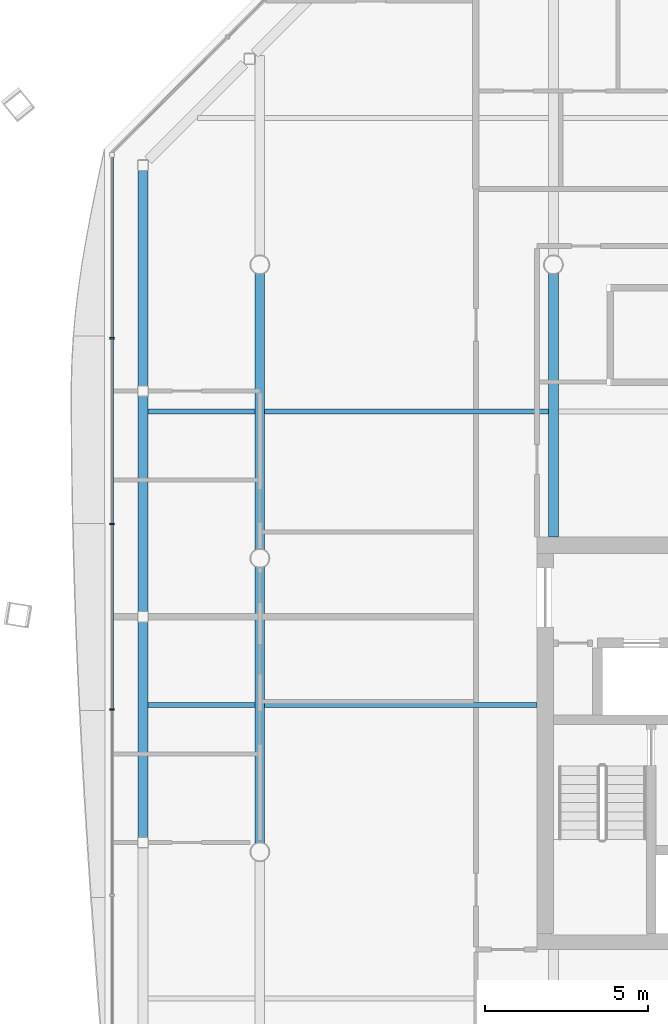
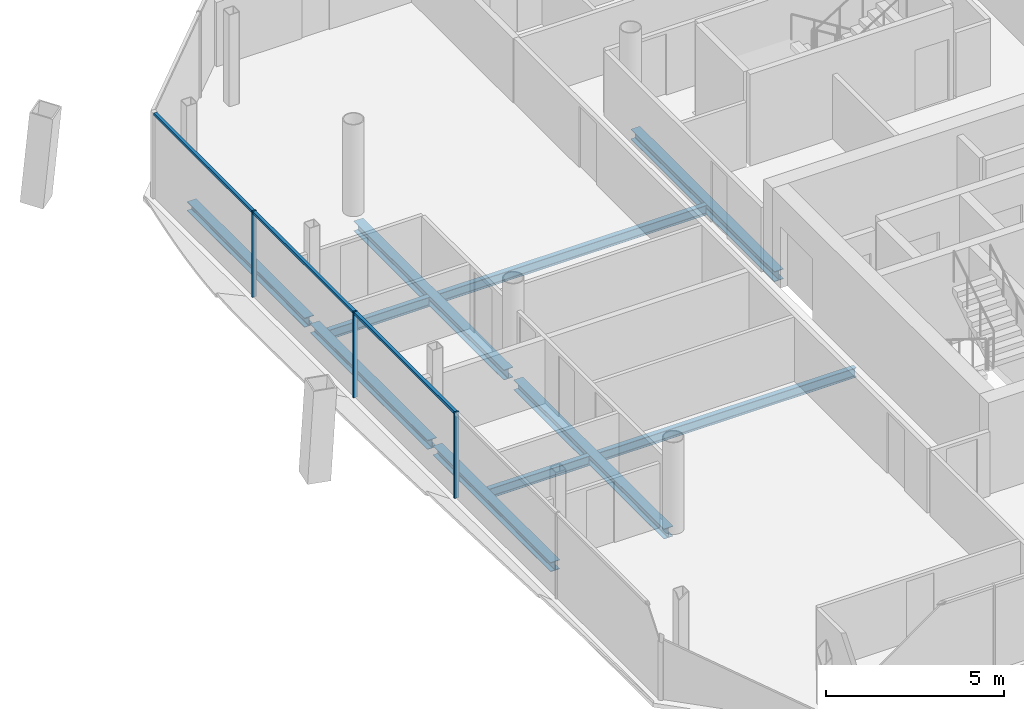
# One storey, part 6 of 19: 10 beams, 6 members, 1 element without a shape of its own.
"""IFC4 building model written with IfcOpenShell, lengths in metres."""

from ifc_helpers import new_model, si_unit, direction, frame, origin, origin_2d, place, context, subcontext, project, spatial, rectangle, i_section, extrude, material, material_profile, profile_set, type_object, element, aggregate, save


model = new_model("IFC4")

# Units and contexts
model_context = context("Model", 3, precision=1e-05, world=origin(), true_north=direction((0.0, 1.0)))
body_context = subcontext(model_context, "Body", "Model", "MODEL_VIEW")
ifc_project = project(units=[si_unit("LENGTHUNIT", "METRE"), si_unit("AREAUNIT", "SQUARE_METRE"), si_unit("VOLUMEUNIT", "CUBIC_METRE"), si_unit("PLANEANGLEUNIT", "RADIAN"), si_unit("MASSUNIT", "GRAM", prefix="KILO")], contexts=[model_context])

# Site, building, storey
site_placement = place(None, origin())
site = spatial("IfcSite", under=ifc_project, at=site_placement, CompositionType="ELEMENT")
building_placement = place(site_placement, origin())
building = spatial("IfcBuilding", under=site, at=building_placement, Name="Tskaro Facet Tower", CompositionType="ELEMENT")
storey_placement = place(building_placement, frame((0.0, 0.0, 203.699951171875)))
storey = spatial("IfcBuildingStorey", under=building, at=storey_placement, Name="L52", CompositionType="ELEMENT", Elevation=203.699951171875)

# Curtain wall, members
ifc_material_1 = material(Name="Bronze anodised aluminium 6063-T6", Category="aluminium")
curtain_wall_type = type_object("IfcCurtainWallType", Name="Bronze residence curtain wall (FW3)", PredefinedType="NOTDEFINED", material=ifc_material_1)
curtain_wall_placement = place(storey_placement, origin())
curtain_wall = element("IfcCurtainWall", 1, at=curtain_wall_placement, inside=storey, type_object=curtain_wall_type, Name="FW3 west facet L52", PredefinedType="NOTDEFINED")
ifc_material_profile_1 = material_profile(ifc_material_1, rectangle(XDim=0.050048828125, YDim=0.139892578125, at=origin_2d()), Name="Mullion 50x140")
ifc_profile_set_1 = profile_set([ifc_material_profile_1], Name="Bronze anodised aluminium 6063-T6")
member_type_1 = type_object("IfcMemberType", Name="FW3 bronze mullion 50x140", PredefinedType="MULLION", material=ifc_profile_set_1)
member_1_placement = place(storey_placement, frame((-22.532958984375, 6.74609375, 0.0), z_axis=(0.0, 0.0, 1.0), x_axis=(0.0, -1.0, 0.0)))
member_1 = element("IfcMember", 2, at=member_1_placement, type_object=member_type_1, Name="FW3 west mullion 1", PredefinedType="MULLION", context=body_context, shape_type="SweptSolid", body=[
    extrude(rectangle(XDim=0.050048828125, YDim=0.139892578125, at=origin_2d()), origin(), (0.0, 0.0, 1.0), 2.949951171875),
])
member_2_placement = place(storey_placement, frame((-22.532958984375, 1.052978515625, 0.0), z_axis=(0.0, 0.0, 1.0), x_axis=(0.0, -1.0, 0.0)))
member_2 = element("IfcMember", 3, at=member_2_placement, type_object=member_type_1, Name="FW3 west mullion 2", PredefinedType="MULLION", context=body_context, shape_type="SweptSolid", body=[
    extrude(rectangle(XDim=0.050048828125, YDim=0.139892578125, at=origin_2d()), origin(), (0.0, 0.0, 1.0), 2.949951171875),
])
member_3_placement = place(storey_placement, frame((-22.532958984375, -4.639892578125, 0.0), z_axis=(0.0, 0.0, 1.0), x_axis=(0.0, -1.0, 0.0)))
member_3 = element("IfcMember", 4, at=member_3_placement, type_object=member_type_1, Name="FW3 west mullion 3", PredefinedType="MULLION", context=body_context, shape_type="SweptSolid", body=[
    extrude(rectangle(XDim=0.050048828125, YDim=0.139892578125, at=origin_2d()), origin(), (0.0, 0.0, 1.0), 2.949951171875),
])
ifc_material_profile_2 = material_profile(ifc_material_1, rectangle(XDim=0.10009765625, YDim=0.090087890625, at=origin_2d()), Name="Transom 100x90")
ifc_profile_set_2 = profile_set([ifc_material_profile_2], Name="Bronze anodised aluminium 6063-T6")
member_type_2 = type_object("IfcMemberType", Name="FW3 bronze transom 100x90", PredefinedType="USERDEFINED", material=ifc_profile_set_2)
member_4_placement = place(storey_placement, frame((-22.532958984375, 12.299072265625, 2.905029296875), z_axis=(0.0, -1.0, 0.0), x_axis=(1.0, 0.0, 0.0)))
member_4 = element("IfcMember", 5, at=member_4_placement, type_object=member_type_2, Name="FW3 west transom 1.1", ObjectType="TRANSOM", PredefinedType="USERDEFINED", context=body_context, shape_type="SweptSolid", body=[
    extrude(rectangle(XDim=0.10009765625, YDim=0.090087890625, at=origin_2d()), origin(), (0.0, 0.0, 1.0), 5.528076171875),
])
member_5_placement = place(storey_placement, frame((-22.532958984375, 6.720947265625, 2.905029296875), z_axis=(0.0, -1.0, 0.0), x_axis=(1.0, 0.0, 0.0)))
member_5 = element("IfcMember", 6, at=member_5_placement, type_object=member_type_2, Name="FW3 west transom 2.1", ObjectType="TRANSOM", PredefinedType="USERDEFINED", context=body_context, shape_type="SweptSolid", body=[
    extrude(rectangle(XDim=0.10009765625, YDim=0.090087890625, at=origin_2d()), origin(), (0.0, 0.0, 1.0), 5.64306640625),
])
member_6_placement = place(storey_placement, frame((-22.532958984375, 1.028076171875, 2.905029296875), z_axis=(0.0, -1.0, 0.0), x_axis=(1.0, 0.0, 0.0)))
member_6 = element("IfcMember", 7, at=member_6_placement, type_object=member_type_2, Name="FW3 west transom 3.1", ObjectType="TRANSOM", PredefinedType="USERDEFINED", context=body_context, shape_type="SweptSolid", body=[
    extrude(rectangle(XDim=0.10009765625, YDim=0.090087890625, at=origin_2d()), origin(), (0.0, 0.0, 1.0), 5.64306640625),
])
aggregate(curtain_wall, [member_1, member_2, member_3, member_4, member_5, member_6])

# Beams
ifc_material_2 = material(Name="Steel S355J2", Category="steel")
ifc_material_profile_3 = material_profile(ifc_material_2, i_section(OverallWidth=0.300048828125, OverallDepth=0.320068359375, WebThickness=0.011474609375, FlangeThickness=0.0205078125, FilletRadius=0.027099609375, at=origin_2d()), Name="HE 320 B")
ifc_profile_set_3 = profile_set([ifc_material_profile_3], Name="Steel S355J2")
beam_type_1 = type_object("IfcBeamType", Name="HE 320 B ring beam", PredefinedType="BEAM", material=ifc_profile_set_3)
beam_1_placement = place(storey_placement, frame((-21.5830078125, 11.89111328125, -0.300048828125), z_axis=(0.0, -1.0, 0.0), x_axis=(1.0, 0.0, 0.0)))
element("IfcBeam", 8, at=beam_1_placement, inside=storey, type_object=beam_type_1, Name="HE 320 B EB17-4", PredefinedType="BEAM", context=body_context, shape_type="SweptSolid", body=[
    extrude(i_section(OverallWidth=0.300048828125, OverallDepth=0.320068359375, WebThickness=0.011474609375, FlangeThickness=0.0205078125, FilletRadius=0.027099609375, at=origin_2d()), origin(), (0.0, 0.0, 1.0), 6.610107421875),
])
beam_2_placement = place(storey_placement, frame((-21.5830078125, 4.970947265625, -0.300048828125), z_axis=(0.0, -1.0, 0.0), x_axis=(1.0, 0.0, 0.0)))
element("IfcBeam", 9, at=beam_2_placement, inside=storey, type_object=beam_type_1, Name="HE 320 B EB18-4", PredefinedType="BEAM", context=body_context, shape_type="SweptSolid", body=[
    extrude(i_section(OverallWidth=0.300048828125, OverallDepth=0.320068359375, WebThickness=0.011474609375, FlangeThickness=0.0205078125, FilletRadius=0.027099609375, at=origin_2d()), origin(), (0.0, 0.0, 1.0), 6.60888671875),
])
beam_3_placement = place(storey_placement, frame((-21.5830078125, -1.947998046875, -0.300048828125), z_axis=(0.0, -1.0, 0.0), x_axis=(1.0, 0.0, 0.0)))
element("IfcBeam", 10, at=beam_3_placement, inside=storey, type_object=beam_type_1, Name="HE 320 B EB19-4", PredefinedType="BEAM", context=body_context, shape_type="SweptSolid", body=[
    extrude(i_section(OverallWidth=0.300048828125, OverallDepth=0.320068359375, WebThickness=0.011474609375, FlangeThickness=0.0205078125, FilletRadius=0.027099609375, at=origin_2d()), origin(), (0.0, 0.0, 1.0), 6.610107421875),
])
ifc_material_profile_4 = material_profile(ifc_material_2, i_section(OverallWidth=0.300048828125, OverallDepth=0.35009765625, WebThickness=0.010009765625, FlangeThickness=0.017578125, FilletRadius=0.027099609375, at=origin_2d()), Name="HE 360 A")
ifc_profile_set_4 = profile_set([ifc_material_profile_4], Name="Steel S355J2")
beam_type_2 = type_object("IfcBeamType", Name="HE 360 A girder", PredefinedType="BEAM", material=ifc_profile_set_4)
for number, where, z_axis, x_axis, name in (
    (11, (-18.0, -8.72509765625, -0.31494140625), (0.0, 1.0, 0.0), (-1.0, 0.0, 0.0), "HE 360 A GB2-2-4"),
    (12, (-18.0, 0.27490234375, -0.31494140625), (0.0, 1.0, 0.0), (-1.0, 0.0, 0.0), "HE 360 A GB2-3-4"),
):
    element("IfcBeam", number, at=place(storey_placement, frame(where, z_axis=z_axis, x_axis=x_axis)), inside=storey, type_object=beam_type_2, Name=name, PredefinedType="BEAM", context=body_context, shape_type="SweptSolid", body=[
        extrude(i_section(OverallWidth=0.300048828125, OverallDepth=0.35009765625, WebThickness=0.010009765625, FlangeThickness=0.017578125, FilletRadius=0.027099609375, at=origin_2d()), origin(), (0.0, 0.0, 1.0), 8.4501953125),
    ])
beam_4_placement = place(storey_placement, frame((-9.0, 0.64990234375, -0.31494140625), z_axis=(0.0, 1.0, 0.0), x_axis=(-1.0, 0.0, 0.0)))
element("IfcBeam", 13, at=beam_4_placement, inside=storey, type_object=beam_type_2, Name="HE 360 A GB3-2-4", PredefinedType="BEAM", context=body_context, shape_type="SweptSolid", body=[
    extrude(i_section(OverallWidth=0.300048828125, OverallDepth=0.35009765625, WebThickness=0.010009765625, FlangeThickness=0.017578125, FilletRadius=0.027099609375, at=origin_2d()), origin(), (0.0, 0.0, 1.0), 8.0751953125),
])
ifc_material_profile_5 = material_profile(ifc_material_2, i_section(OverallWidth=0.159912109375, OverallDepth=0.330078125, WebThickness=0.007568359375, FlangeThickness=0.011474609375, FilletRadius=0.01806640625, at=origin_2d()), Name="IPE 330")
ifc_profile_set_5 = profile_set([ifc_material_profile_5], Name="Steel S355J2")
beam_type_3 = type_object("IfcBeamType", Name="IPE 330 secondary beam", PredefinedType="BEAM", material=ifc_profile_set_5)
beam_5_placement = place(storey_placement, frame((-21.43310546875, -4.5, -0.304931640625), z_axis=(1.0, 0.0, 0.0), x_axis=(0.0, 1.0, 0.0)))
element("IfcBeam", 14, at=beam_5_placement, inside=storey, type_object=beam_type_3, Name="IPE 330 SB3a-1-4", PredefinedType="BEAM", context=body_context, shape_type="SweptSolid", body=[
    extrude(i_section(OverallWidth=0.159912109375, OverallDepth=0.330078125, WebThickness=0.007568359375, FlangeThickness=0.011474609375, FilletRadius=0.01806640625, at=origin_2d()), origin(), (0.0, 0.0, 1.0), 3.283203125),
])
beam_6_placement = place(storey_placement, frame((-17.85009765625, -4.5, -0.304931640625), z_axis=(1.0, 0.0, 0.0), x_axis=(0.0, 1.0, 0.0)))
element("IfcBeam", 15, at=beam_6_placement, inside=storey, type_object=beam_type_3, Name="IPE 330 SB3a-2-4", PredefinedType="BEAM", context=body_context, shape_type="SweptSolid", body=[
    extrude(i_section(OverallWidth=0.159912109375, OverallDepth=0.330078125, WebThickness=0.007568359375, FlangeThickness=0.011474609375, FilletRadius=0.01806640625, at=origin_2d()), origin(), (0.0, 0.0, 1.0), 8.35009765625),
])
beam_7_placement = place(storey_placement, frame((-21.43310546875, 4.5, -0.304931640625), z_axis=(1.0, 0.0, 0.0), x_axis=(0.0, 1.0, 0.0)))
element("IfcBeam", 16, at=beam_7_placement, inside=storey, type_object=beam_type_3, Name="IPE 330 SB4a-1-4", PredefinedType="BEAM", context=body_context, shape_type="SweptSolid", body=[
    extrude(i_section(OverallWidth=0.159912109375, OverallDepth=0.330078125, WebThickness=0.007568359375, FlangeThickness=0.011474609375, FilletRadius=0.01806640625, at=origin_2d()), origin(), (0.0, 0.0, 1.0), 3.283203125),
])
beam_8_placement = place(storey_placement, frame((-17.85009765625, 4.5, -0.304931640625), z_axis=(1.0, 0.0, 0.0), x_axis=(0.0, 1.0, 0.0)))
element("IfcBeam", 17, at=beam_8_placement, inside=storey, type_object=beam_type_3, Name="IPE 330 SB4a-2-4", PredefinedType="BEAM", context=body_context, shape_type="SweptSolid", body=[
    extrude(i_section(OverallWidth=0.159912109375, OverallDepth=0.330078125, WebThickness=0.007568359375, FlangeThickness=0.011474609375, FilletRadius=0.01806640625, at=origin_2d()), origin(), (0.0, 0.0, 1.0), 8.7001953125),
])

save(model, "model.ifc")
